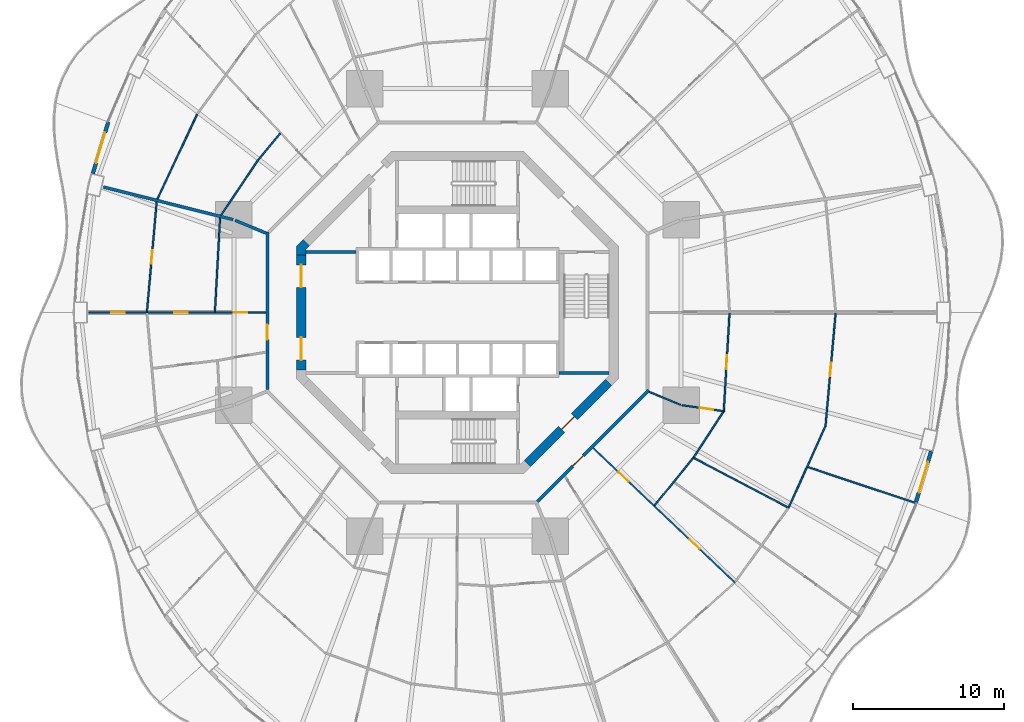
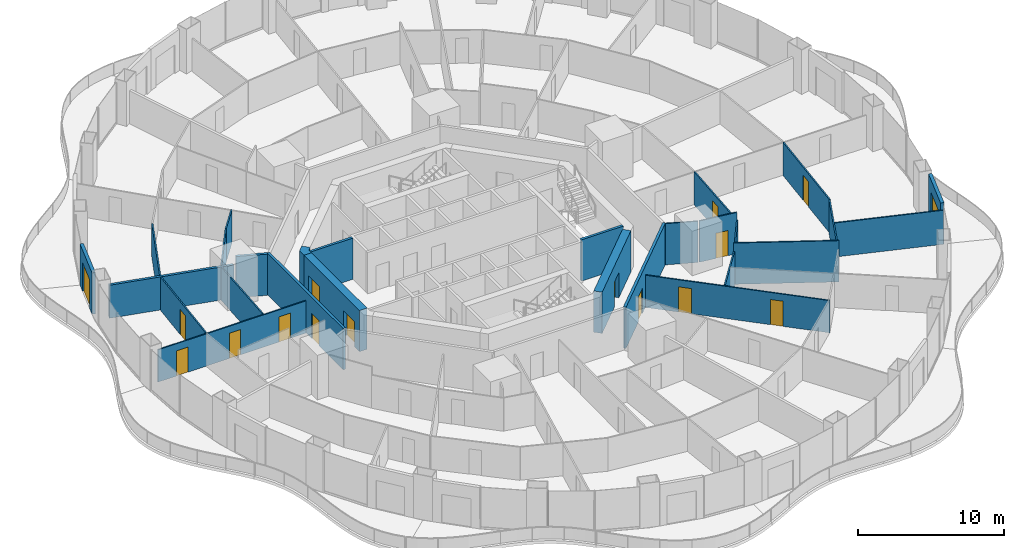
# One storey, part 16 of 22: 27 walls, 16 doors, 16 openings.
"""IFC4 building model written with IfcOpenShell, lengths in metres."""

from ifc_helpers import new_model, si_unit, direction, frame, frame_2d, origin, place, context, subcontext, project, spatial, polyline, rectangle, outline, extrude, material, layer, layer_set, type_object, element, fill, save


model = new_model("IFC4")

# Units and contexts
model_context = context("Model", 3, precision=1e-05, world=origin(), true_north=direction((0.0, 1.0)))
body_context = subcontext(model_context, "Body", "Model", "MODEL_VIEW")
ifc_project = project(units=[si_unit("LENGTHUNIT", "METRE"), si_unit("AREAUNIT", "SQUARE_METRE"), si_unit("VOLUMEUNIT", "CUBIC_METRE"), si_unit("PLANEANGLEUNIT", "RADIAN"), si_unit("MASSUNIT", "GRAM", prefix="KILO")], contexts=[model_context])

# Site, building, storey
site_placement = place(None, origin())
site = spatial("IfcSite", under=ifc_project, at=site_placement, CompositionType="ELEMENT")
building_placement = place(site_placement, origin())
building = spatial("IfcBuilding", under=site, at=building_placement, Name="Nagisa Residences", CompositionType="ELEMENT")
storey_placement = place(building_placement, frame((0.0, 0.0, 49.199951171875)))
storey = spatial("IfcBuildingStorey", under=building, at=storey_placement, Name="L11", CompositionType="ELEMENT", Elevation=49.199951171875)

# Walls
ifc_material_1 = material(Name="Gypsum board on steel studs", Category="steel")
ifc_layer_1 = layer(ifc_material_1, 0.199951171875)
ifc_layer_set_1 = layer_set([ifc_layer_1], Name="Apartment compartment wall EI60 200")
wall_type_1 = type_object("IfcWallType", Name="Apartment compartment wall EI60 200", PredefinedType="PARTITIONING", material=ifc_layer_set_1)
wall_1_placement = place(storey_placement, frame((-12.6572265625, 5.24267578125, 0.0), z_axis=(0.0, 0.0, 1.0), x_axis=(-0.923885664896, 0.382668627144, 0.0)))
element("IfcWall", 1, at=wall_1_placement, inside=storey, type_object=wall_type_1, Name="wall:L11:u04", PredefinedType="PARTITIONING", context=body_context, shape_type="SweptSolid", body=[
    extrude(rectangle(XDim=2.200439453125, YDim=0.199951171875, at=frame_2d((1.10009765625, 0.0))), origin(), (0.0, 0.0, 1.0), 3.43994140625),
])
wall_2_placement = place(storey_placement, frame((-14.83056640625, 6.135009765625, 0.0), z_axis=(0.0, 0.0, 1.0), x_axis=(-0.969884949569, 0.243563512454, 0.0)))
element("IfcWall", 2, at=wall_2_placement, inside=storey, type_object=wall_type_1, Name="wall:L11:u05", PredefinedType="PARTITIONING", context=body_context, shape_type="SweptSolid", body=[
    extrude(rectangle(XDim=8.828857421875, YDim=0.199951171875, at=frame_2d((4.41455078125, 0.0))), origin(), (0.0, 0.0, 1.0), 2.756103515625),
])

# Wall, opening, door
ifc_material_2 = material(Name="Gypsum board on steel studs", Category="steel")
ifc_layer_2 = layer(ifc_material_2, 0.199951171875)
ifc_layer_set_2 = layer_set([ifc_layer_2], Name="Apartment entry wall EI60 200")
wall_type_2 = type_object("IfcWallType", Name="Apartment entry wall EI60 200", PredefinedType="PARTITIONING", material=ifc_layer_set_2)
wall_3_placement = place(storey_placement, frame((-12.564697265625, 5.304443359375, 0.0), z_axis=(0.0, 0.0, 1.0), x_axis=(0.0, -1.0, 0.0)))
wall_3 = element("IfcWall", 3, at=wall_3_placement, inside=storey, type_object=wall_type_2, Name="wall:L11:u14", PredefinedType="PARTITIONING", context=body_context, shape_type="SweptSolid", body=[
    extrude(rectangle(XDim=10.408935546875, YDim=0.199951171875, at=frame_2d((5.20458984375, 0.0))), origin(), (0.0, 0.0, 1.0), 3.43994140625),
])
opening_1_placement = place(wall_3_placement, frame((6.105712890625, 0.0, 0.0)))
opening_1 = element("IfcOpeningElement", 4, at=opening_1_placement, cuts=wall_3, Name="Opening L11-U08", PredefinedType="OPENING", context=body_context, shape_type="SweptSolid", body=[
    extrude(rectangle(XDim=1.0, YDim=2.10009765625, at=frame_2d((0.5, 1.050048828125))), frame((0.0, 0.10986328125, 0.0), z_axis=(0.0, -1.0, 0.0), x_axis=(1.0, 0.0, 0.0)), (0.0, 0.0, 1.0), 0.219970703125),
])
ifc_material_3 = material(Name="Timber fire door set", Category="wood")
door_type_1 = type_object("IfcDoorType", Name="Apartment entry door FD30S 1000x2100", OperationType="NOTDEFINED", PredefinedType="DOOR", material=ifc_material_3)
door_1_placement = place(opening_1_placement, frame((1.0, 0.0, 0.0), x_axis=(-1.0, 0.0, 0.0)))
door_1 = element("IfcDoor", 5, at=door_1_placement, inside=storey, type_object=door_type_1, Name="Entry door, Apartment 11B", OperationType="SINGLE_SWING_LEFT", OverallHeight=2.10009765625, OverallWidth=1.0, PredefinedType="DOOR", context=body_context, shape_type="SweptSolid", body=[
    extrude(rectangle(XDim=1.0, YDim=2.10009765625, at=frame_2d((0.5, 1.050048828125))), frame((0.0, 0.02490234375, 0.0), z_axis=(0.0, -1.0, 0.0), x_axis=(1.0, 0.0, 0.0)), (0.0, 0.0, 1.0), 0.050048828125),
])
fill(opening_1, door_1)

wall_4_placement = place(storey_placement, frame((5.275146484375, -12.494140625, 0.0), z_axis=(0.0, 0.0, 1.0), x_axis=(0.707106781187, 0.707106781187, 0.0)))
wall_4 = element("IfcWall", 6, at=wall_4_placement, inside=storey, type_object=wall_type_2, Name="wall:L11:u17", PredefinedType="PARTITIONING", context=body_context, shape_type="SweptSolid", body=[
    extrude(rectangle(XDim=10.4091796875, YDim=0.199951171875, at=frame_2d((5.20458984375, 0.0))), origin(), (0.0, 0.0, 1.0), 3.43994140625),
])
opening_2_placement = place(wall_4_placement, frame((3.303466796875, 0.0, 0.0)))
opening_2 = element("IfcOpeningElement", 7, at=opening_2_placement, cuts=wall_4, Name="Opening L11-U28", PredefinedType="OPENING", context=body_context, shape_type="SweptSolid", body=[
    extrude(rectangle(XDim=1.0, YDim=2.10009765625, at=frame_2d((0.5, 1.050048828125))), frame((0.0, 0.10986328125, 0.0), z_axis=(0.0, -1.0, 0.0), x_axis=(1.0, 0.0, 0.0)), (0.0, 0.0, 1.0), 0.219970703125),
])
door_2_placement = place(opening_2_placement, frame((1.0, 0.0, 0.0), x_axis=(-1.0, 0.0, 0.0)))
door_2 = element("IfcDoor", 8, at=door_2_placement, inside=storey, type_object=door_type_1, Name="Entry door, Apartment 11D", OperationType="SINGLE_SWING_LEFT", OverallHeight=2.10009765625, OverallWidth=1.0, PredefinedType="DOOR", context=body_context, shape_type="SweptSolid", body=[
    extrude(rectangle(XDim=1.0, YDim=2.10009765625, at=frame_2d((0.5, 1.050048828125))), frame((0.0, 0.02490234375, 0.0), z_axis=(0.0, -1.0, 0.0), x_axis=(1.0, 0.0, 0.0)), (0.0, 0.0, 1.0), 0.050048828125),
])
fill(opening_2, door_2)

ifc_material_4 = material(Name="Gypsum board on steel studs", Category="steel")
ifc_layer_3 = layer(ifc_material_4, 0.10009765625)
ifc_layer_set_3 = layer_set([ifc_layer_3], Name="Apartment partition 100")
wall_type_3 = type_object("IfcWallType", Name="Apartment partition 100", PredefinedType="PARTITIONING", material=ifc_layer_set_3)
wall_5_placement = place(storey_placement, frame((17.971435546875, -0.0498046875, 0.0), z_axis=(0.0, 0.0, 1.0), x_axis=(-0.058476853647, -0.998288764631, 0.0)))
wall_5 = element("IfcWall", 9, at=wall_5_placement, inside=storey, type_object=wall_type_3, Name="wall:L11:u20", PredefinedType="PARTITIONING", context=body_context, shape_type="SweptSolid", body=[
    extrude(rectangle(XDim=6.5380859375, YDim=0.10009765625, at=frame_2d((3.26904296875, 0.0))), origin(), (0.0, 0.0, 1.0), 2.756103515625),
])
opening_3_placement = place(wall_5_placement, frame((2.7939453125, 0.0, 0.0)))
opening_3 = element("IfcOpeningElement", 10, at=opening_3_placement, cuts=wall_5, Name="Opening L11-U35", PredefinedType="OPENING", context=body_context, shape_type="SweptSolid", body=[
    extrude(rectangle(XDim=0.89990234375, YDim=2.10009765625, at=frame_2d((0.449951171875, 1.050048828125))), frame((0.0, 0.06005859375, 0.0), z_axis=(0.0, -1.0, 0.0), x_axis=(1.0, 0.0, 0.0)), (0.0, 0.0, 1.0), 0.1201171875),
])
ifc_material_5 = material(Name="Timber door set", Category="wood")
door_type_2 = type_object("IfcDoorType", Name="Apartment door 900x2100", OperationType="NOTDEFINED", PredefinedType="DOOR", material=ifc_material_5)
door_3_placement = place(opening_3_placement, origin())
door_3 = element("IfcDoor", 11, at=door_3_placement, inside=storey, type_object=door_type_2, Name="Door to dining room, Apartment 11D", OperationType="SINGLE_SWING_LEFT", OverallHeight=2.10009765625, OverallWidth=0.89990234375, PredefinedType="DOOR", context=body_context, shape_type="SweptSolid", body=[
    extrude(rectangle(XDim=0.89990234375, YDim=2.10009765625, at=frame_2d((0.449951171875, 1.050048828125))), frame((0.0, 0.02490234375, 0.0), z_axis=(0.0, -1.0, 0.0), x_axis=(1.0, 0.0, 0.0)), (0.0, 0.0, 1.0), 0.050048828125),
])
fill(opening_3, door_3)

wall_6_placement = place(storey_placement, frame((24.982177734375, -0.0498046875, 0.0), z_axis=(0.0, 0.0, 1.0), x_axis=(-0.089444214321, -0.995991833563, 0.0)))
wall_6 = element("IfcWall", 12, at=wall_6_placement, inside=storey, type_object=wall_type_3, Name="wall:L11:u22", PredefinedType="PARTITIONING", context=body_context, shape_type="SweptSolid", body=[
    extrude(rectangle(XDim=7.522705078125, YDim=0.10009765625, at=frame_2d((3.76123046875, 0.0))), origin(), (0.0, 0.0, 1.0), 2.756103515625),
])
opening_4_placement = place(wall_6_placement, frame((3.286376953125, 0.0, 0.0)))
opening_4 = element("IfcOpeningElement", 13, at=opening_4_placement, cuts=wall_6, Name="Opening L11-U40", PredefinedType="OPENING", context=body_context, shape_type="SweptSolid", body=[
    extrude(rectangle(XDim=0.89990234375, YDim=2.10009765625, at=frame_2d((0.449951171875, 1.050048828125))), frame((0.0, 0.06005859375, 0.0), z_axis=(0.0, -1.0, 0.0), x_axis=(1.0, 0.0, 0.0)), (0.0, 0.0, 1.0), 0.1201171875),
])
door_4_placement = place(opening_4_placement, origin())
door_4 = element("IfcDoor", 14, at=door_4_placement, inside=storey, type_object=door_type_2, Name="Door to living room, Apartment 11D", OperationType="SINGLE_SWING_RIGHT", OverallHeight=2.10009765625, OverallWidth=0.89990234375, PredefinedType="DOOR", context=body_context, shape_type="SweptSolid", body=[
    extrude(rectangle(XDim=0.89990234375, YDim=2.10009765625, at=frame_2d((0.449951171875, 1.050048828125))), frame((0.0, 0.02490234375, 0.0), z_axis=(0.0, -1.0, 0.0), x_axis=(1.0, 0.0, 0.0)), (0.0, 0.0, 1.0), 0.050048828125),
])
fill(opening_4, door_4)

# Walls
wall_7_placement = place(storey_placement, frame((-11.70458984375, 11.824951171875, 0.0), z_axis=(0.0, 0.0, 1.0), x_axis=(-0.640861724905, -0.767656335577, 0.0)))
element("IfcWall", 15, at=wall_7_placement, inside=storey, type_object=wall_type_3, Name="wall:L11:u50", PredefinedType="PARTITIONING", context=body_context, shape_type="SweptSolid", body=[
    extrude(rectangle(XDim=2.268310546875, YDim=0.10009765625, at=frame_2d((1.13427734375, 0.0))), origin(), (0.0, 0.0, 1.0), 2.756103515625),
])
wall_8_placement = place(storey_placement, frame((-13.162353515625, 10.086669921875, 0.0), z_axis=(0.0, 0.0, 1.0), x_axis=(-0.55912750241, -0.829081682375, 0.0)))
element("IfcWall", 16, at=wall_8_placement, inside=storey, type_object=wall_type_3, Name="wall:L11:u51", PredefinedType="PARTITIONING", context=body_context, shape_type="SweptSolid", body=[
    extrude(rectangle(XDim=4.407958984375, YDim=0.10009765625, at=frame_2d((2.2041015625, 0.0))), origin(), (0.0, 0.0, 1.0), 2.756103515625),
])
wall_9_placement = place(storey_placement, frame((-17.20263671875, 13.0947265625, 0.0), z_axis=(0.0, 0.0, 1.0), x_axis=(-0.423926333401, -0.905696673202, 0.0)))
element("IfcWall", 17, at=wall_9_placement, inside=storey, type_object=wall_type_3, Name="wall:L11:u52", PredefinedType="PARTITIONING", context=body_context, shape_type="SweptSolid", body=[
    extrude(rectangle(XDim=6.1875, YDim=0.10009765625, at=frame_2d((3.09375, 0.0))), origin(), (0.0, 0.0, 1.0), 2.756103515625),
])
wall_10_placement = place(storey_placement, frame((-15.688232421875, 6.249267578125, 0.0), z_axis=(0.0, 0.0, 1.0), x_axis=(-0.054659814056, -0.998505034903, 0.0)))
element("IfcWall", 18, at=wall_10_placement, inside=storey, type_object=wall_type_3, Name="wall:L11:u53", PredefinedType="PARTITIONING", context=body_context, shape_type="SweptSolid", body=[
    extrude(rectangle(XDim=6.20849609375, YDim=0.10009765625, at=frame_2d((3.104248046875, 0.0))), origin(), (0.0, 0.0, 1.0), 2.756103515625),
])

# Wall, opening, door
wall_11_placement = place(storey_placement, frame((-19.876708984375, 7.300537109375, 0.0), z_axis=(0.0, 0.0, 1.0), x_axis=(-0.088143415068, -0.996107794558, 0.0)))
wall_11 = element("IfcWall", 19, at=wall_11_placement, inside=storey, type_object=wall_type_3, Name="wall:L11:u54", PredefinedType="PARTITIONING", context=body_context, shape_type="SweptSolid", body=[
    extrude(rectangle(XDim=7.279052734375, YDim=0.10009765625, at=frame_2d((3.6396484375, 0.0))), origin(), (0.0, 0.0, 1.0), 2.756103515625),
])
opening_5_placement = place(wall_11_placement, frame((3.189453125, 0.0, 0.0)))
opening_5 = element("IfcOpeningElement", 20, at=opening_5_placement, cuts=wall_11, Name="Opening L11-U13", PredefinedType="OPENING", context=body_context, shape_type="SweptSolid", body=[
    extrude(rectangle(XDim=0.89990234375, YDim=2.10009765625, at=frame_2d((0.449951171875, 1.050048828125))), frame((0.0, 0.06005859375, 0.0), z_axis=(0.0, -1.0, 0.0), x_axis=(1.0, 0.0, 0.0)), (0.0, 0.0, 1.0), 0.1201171875),
])
door_5_placement = place(opening_5_placement, frame((0.89990234375, 0.0, 0.0), x_axis=(-1.0, 0.0, 0.0)))
door_5 = element("IfcDoor", 21, at=door_5_placement, inside=storey, type_object=door_type_2, Name="Door to family room, Apartment 11B", OperationType="SINGLE_SWING_RIGHT", OverallHeight=2.10009765625, OverallWidth=0.89990234375, PredefinedType="DOOR", context=body_context, shape_type="SweptSolid", body=[
    extrude(rectangle(XDim=0.89990234375, YDim=2.10009765625, at=frame_2d((0.449951171875, 1.050048828125))), frame((0.0, 0.02490234375, 0.0), z_axis=(0.0, -1.0, 0.0), x_axis=(1.0, 0.0, 0.0)), (0.0, 0.0, 1.0), 0.050048828125),
])
fill(opening_5, door_5)

# Wall, openings, doors
wall_12_placement = place(storey_placement, frame((-12.664794921875, 0.0, 0.0), z_axis=(0.0, 0.0, 1.0), x_axis=(-1.0, 0.0, 0.0)))
wall_12 = element("IfcWall", 22, at=wall_12_placement, inside=storey, type_object=wall_type_3, Name="wall:L11:u55", PredefinedType="PARTITIONING", context=body_context, shape_type="SweptSolid", body=[
    extrude(rectangle(XDim=11.685302734375, YDim=0.10009765625, at=frame_2d((5.8427734375, 0.0))), origin(), (0.0, 0.0, 1.0), 2.68701171875),
])
opening_6_placement = place(wall_12_placement, frame((1.23291015625, 0.0, 0.0)))
opening_6 = element("IfcOpeningElement", 23, at=opening_6_placement, cuts=wall_12, Name="Opening L11-U09", PredefinedType="OPENING", context=body_context, shape_type="SweptSolid", body=[
    extrude(rectangle(XDim=0.89990234375, YDim=2.10009765625, at=frame_2d((0.449951171875, 1.050048828125))), frame((0.0, 0.06005859375, 0.0), z_axis=(0.0, -1.0, 0.0), x_axis=(1.0, 0.0, 0.0)), (0.0, 0.0, 1.0), 0.1201171875),
])
opening_7_placement = place(wall_12_placement, frame((5.16162109375, 0.0, 0.0)))
opening_7 = element("IfcOpeningElement", 24, at=opening_7_placement, cuts=wall_12, Name="Opening L11-U11", PredefinedType="OPENING", context=body_context, shape_type="SweptSolid", body=[
    extrude(rectangle(XDim=0.89990234375, YDim=2.10009765625, at=frame_2d((0.449951171875, 1.050048828125))), frame((0.0, 0.06005859375, 0.0), z_axis=(0.0, -1.0, 0.0), x_axis=(1.0, 0.0, 0.0)), (0.0, 0.0, 1.0), 0.1201171875),
])
opening_8_placement = place(wall_12_placement, frame((9.321533203125, 0.0, 0.0)))
opening_8 = element("IfcOpeningElement", 25, at=opening_8_placement, cuts=wall_12, Name="Opening L11-U14", PredefinedType="OPENING", context=body_context, shape_type="SweptSolid", body=[
    extrude(rectangle(XDim=0.89990234375, YDim=2.10009765625, at=frame_2d((0.449951171875, 1.050048828125))), frame((0.0, 0.06005859375, 0.0), z_axis=(0.0, -1.0, 0.0), x_axis=(1.0, 0.0, 0.0)), (0.0, 0.0, 1.0), 0.1201171875),
])
door_6_placement = place(opening_6_placement, frame((0.89990234375, 0.0, 0.0), x_axis=(-1.0, 0.0, 0.0)))
door_6 = element("IfcDoor", 26, at=door_6_placement, inside=storey, type_object=door_type_2, Name="Door to store, Apartment 11B", OperationType="SINGLE_SWING_RIGHT", OverallHeight=2.10009765625, OverallWidth=0.89990234375, PredefinedType="DOOR", context=body_context, shape_type="SweptSolid", body=[
    extrude(rectangle(XDim=0.89990234375, YDim=2.10009765625, at=frame_2d((0.449951171875, 1.050048828125))), frame((0.0, 0.02490234375, 0.0), z_axis=(0.0, -1.0, 0.0), x_axis=(1.0, 0.0, 0.0)), (0.0, 0.0, 1.0), 0.050048828125),
])
fill(opening_6, door_6)
door_7_placement = place(opening_7_placement, frame((0.89990234375, 0.0, 0.0), x_axis=(-1.0, 0.0, 0.0)))
door_7 = element("IfcDoor", 27, at=door_7_placement, inside=storey, type_object=door_type_2, Name="Door to kitchen, Apartment 11B", OperationType="SINGLE_SWING_RIGHT", OverallHeight=2.10009765625, OverallWidth=0.89990234375, PredefinedType="DOOR", context=body_context, shape_type="SweptSolid", body=[
    extrude(rectangle(XDim=0.89990234375, YDim=2.10009765625, at=frame_2d((0.449951171875, 1.050048828125))), frame((0.0, 0.02490234375, 0.0), z_axis=(0.0, -1.0, 0.0), x_axis=(1.0, 0.0, 0.0)), (0.0, 0.0, 1.0), 0.050048828125),
])
fill(opening_7, door_7)
door_8_placement = place(opening_8_placement, origin())
door_8 = element("IfcDoor", 28, at=door_8_placement, inside=storey, type_object=door_type_2, Name="Door to bedroom, Apartment 11B", OperationType="SINGLE_SWING_RIGHT", OverallHeight=2.10009765625, OverallWidth=0.89990234375, PredefinedType="DOOR", context=body_context, shape_type="SweptSolid", body=[
    extrude(rectangle(XDim=0.89990234375, YDim=2.10009765625, at=frame_2d((0.449951171875, 1.050048828125))), frame((0.0, 0.02490234375, 0.0), z_axis=(0.0, -1.0, 0.0), x_axis=(1.0, 0.0, 0.0)), (0.0, 0.0, 1.0), 0.050048828125),
])
fill(opening_8, door_8)

wall_13_placement = place(storey_placement, frame((8.95703125, -8.953369140625, 0.0), z_axis=(0.0, 0.0, 1.0), x_axis=(0.725250022034, -0.688485588476, 0.0)))
wall_13 = element("IfcWall", 29, at=wall_13_placement, inside=storey, type_object=wall_type_3, Name="wall:L11:u83", PredefinedType="PARTITIONING", context=body_context, shape_type="SweptSolid", body=[
    extrude(rectangle(XDim=12.962646484375, YDim=0.10009765625, at=frame_2d((6.4814453125, 0.0))), origin(), (0.0, 0.0, 1.0), 2.68701171875),
])
opening_9_placement = place(wall_13_placement, frame((2.33349609375, 0.0, 0.0)))
opening_9 = element("IfcOpeningElement", 30, at=opening_9_placement, cuts=wall_13, Name="Opening L11-U30", PredefinedType="OPENING", context=body_context, shape_type="SweptSolid", body=[
    extrude(rectangle(XDim=0.89990234375, YDim=2.10009765625, at=frame_2d((0.449951171875, 1.050048828125))), frame((0.0, 0.06005859375, 0.0), z_axis=(0.0, -1.0, 0.0), x_axis=(1.0, 0.0, 0.0)), (0.0, 0.0, 1.0), 0.1201171875),
])
opening_10_placement = place(wall_13_placement, frame((8.78955078125, 0.0, 0.0)))
opening_10 = element("IfcOpeningElement", 31, at=opening_10_placement, cuts=wall_13, Name="Opening L11-U34", PredefinedType="OPENING", context=body_context, shape_type="SweptSolid", body=[
    extrude(rectangle(XDim=0.89990234375, YDim=2.10009765625, at=frame_2d((0.449951171875, 1.050048828125))), frame((0.0, 0.06005859375, 0.0), z_axis=(0.0, -1.0, 0.0), x_axis=(1.0, 0.0, 0.0)), (0.0, 0.0, 1.0), 0.1201171875),
])
door_9_placement = place(opening_9_placement, origin())
door_9 = element("IfcDoor", 32, at=door_9_placement, inside=storey, type_object=door_type_2, Name="Door to store, Apartment 11D", OperationType="SINGLE_SWING_RIGHT", OverallHeight=2.10009765625, OverallWidth=0.89990234375, PredefinedType="DOOR", context=body_context, shape_type="SweptSolid", body=[
    extrude(rectangle(XDim=0.89990234375, YDim=2.10009765625, at=frame_2d((0.449951171875, 1.050048828125))), frame((0.0, 0.02490234375, 0.0), z_axis=(0.0, -1.0, 0.0), x_axis=(1.0, 0.0, 0.0)), (0.0, 0.0, 1.0), 0.050048828125),
])
fill(opening_9, door_9)
door_10_placement = place(opening_10_placement, origin())
door_10 = element("IfcDoor", 33, at=door_10_placement, inside=storey, type_object=door_type_2, Name="Door to family bathroom, Apartment 11D", OperationType="SINGLE_SWING_RIGHT", OverallHeight=2.10009765625, OverallWidth=0.89990234375, PredefinedType="DOOR", context=body_context, shape_type="SweptSolid", body=[
    extrude(rectangle(XDim=0.89990234375, YDim=2.10009765625, at=frame_2d((0.449951171875, 1.050048828125))), frame((0.0, 0.02490234375, 0.0), z_axis=(0.0, -1.0, 0.0), x_axis=(1.0, 0.0, 0.0)), (0.0, 0.0, 1.0), 0.050048828125),
])
fill(opening_10, door_10)

# Walls
wall_14_placement = place(storey_placement, frame((13.02587890625, -12.747314453125, 0.0), z_axis=(0.0, 0.0, 1.0), x_axis=(0.630126826288, 0.776492229705, 0.0)))
element("IfcWall", 34, at=wall_14_placement, inside=storey, type_object=wall_type_3, Name="wall:L11:u84", PredefinedType="PARTITIONING", context=body_context, shape_type="SweptSolid", body=[
    extrude(rectangle(XDim=4.006591796875, YDim=0.10009765625, at=frame_2d((2.00341796875, 0.0))), origin(), (0.0, 0.0, 1.0), 2.756103515625),
])
wall_15_placement = place(storey_placement, frame((15.537841796875, -9.57421875, 0.0), z_axis=(0.0, 0.0, 1.0), x_axis=(0.88517945493, -0.465249752895, 0.0)))
element("IfcWall", 35, at=wall_15_placement, inside=storey, type_object=wall_type_3, Name="wall:L11:u87", PredefinedType="PARTITIONING", context=body_context, shape_type="SweptSolid", body=[
    extrude(rectangle(XDim=7.213134765625, YDim=0.10009765625, at=frame_2d((3.6064453125, 0.0))), origin(), (0.0, 0.0, 1.0), 3.43994140625),
])
wall_16_placement = place(storey_placement, frame((15.609375, -9.5556640625, 0.0), z_axis=(0.0, 0.0, 1.0), x_axis=(0.547641765292, 0.836712911881, 0.0)))
element("IfcWall", 36, at=wall_16_placement, inside=storey, type_object=wall_type_3, Name="wall:L11:u88", PredefinedType="PARTITIONING", context=body_context, shape_type="SweptSolid", body=[
    extrude(rectangle(XDim=3.570068359375, YDim=0.10009765625, at=frame_2d((1.78515625, 0.0))), origin(), (0.0, 0.0, 1.0), 2.756103515625),
])
wall_17_placement = place(storey_placement, frame((21.89892578125, -12.861328125, 0.0), z_axis=(0.0, 0.0, 1.0), x_axis=(0.410197710154, 0.911996622025, 0.0)))
element("IfcWall", 37, at=wall_17_placement, inside=storey, type_object=wall_type_3, Name="wall:L11:u89", PredefinedType="PARTITIONING", context=body_context, shape_type="SweptSolid", body=[
    extrude(rectangle(XDim=5.8369140625, YDim=0.10009765625, at=frame_2d((2.91845703125, 0.0))), origin(), (0.0, 0.0, 1.0), 2.756103515625),
])
wall_18_placement = place(storey_placement, frame((23.1435546875, -10.215576171875, 0.0), z_axis=(0.0, 0.0, 1.0), x_axis=(0.948811715359, -0.315842253027, 0.0)))
element("IfcWall", 38, at=wall_18_placement, inside=storey, type_object=wall_type_3, Name="wall:L11:u90", PredefinedType="PARTITIONING", context=body_context, shape_type="SweptSolid", body=[
    extrude(rectangle(XDim=7.599853515625, YDim=0.10009765625, at=frame_2d((3.7998046875, 0.0))), origin(), (0.0, 0.0, 1.0), 2.837158203125),
])
wall_19_placement = place(storey_placement, frame((12.6572265625, -5.24267578125, 0.0), z_axis=(0.0, 0.0, 1.0), x_axis=(0.923864733477, -0.382719158442, 0.0)))
element("IfcWall", 39, at=wall_19_placement, inside=storey, type_object=wall_type_3, Name="wall:L11:u91", PredefinedType="PARTITIONING", context=body_context, shape_type="SweptSolid", body=[
    extrude(rectangle(XDim=2.25, YDim=0.10009765625, at=frame_2d((1.125, 0.0))), origin(), (0.0, 0.0, 1.0), 3.43994140625),
])

# Wall, opening, door
wall_20_placement = place(storey_placement, frame((14.83154296875, -6.130126953125, 0.0), z_axis=(0.0, 0.0, 1.0), x_axis=(0.989840446863, -0.142182593007, 0.0)))
wall_20 = element("IfcWall", 40, at=wall_20_placement, inside=storey, type_object=wall_type_3, Name="wall:L11:u92", PredefinedType="PARTITIONING", context=body_context, shape_type="SweptSolid", body=[
    extrude(rectangle(XDim=2.73876953125, YDim=0.10009765625, at=frame_2d((1.369384765625, 0.0))), origin(), (0.0, 0.0, 1.0), 3.43994140625),
])
opening_11_placement = place(wall_20_placement, frame((1.197021484375, 0.0, 0.0)))
opening_11 = element("IfcOpeningElement", 41, at=opening_11_placement, cuts=wall_20, Name="Opening L11-U31", PredefinedType="OPENING", context=body_context, shape_type="SweptSolid", body=[
    extrude(rectangle(XDim=0.89990234375, YDim=2.10009765625, at=frame_2d((0.449951171875, 1.050048828125))), frame((0.0, 0.06005859375, 0.0), z_axis=(0.0, -1.0, 0.0), x_axis=(1.0, 0.0, 0.0)), (0.0, 0.0, 1.0), 0.1201171875),
])
door_11_placement = place(opening_11_placement, origin())
door_11 = element("IfcDoor", 42, at=door_11_placement, inside=storey, type_object=door_type_2, Name="Door to laundry, Apartment 11D", OperationType="SINGLE_SWING_LEFT", OverallHeight=2.10009765625, OverallWidth=0.89990234375, PredefinedType="DOOR", context=body_context, shape_type="SweptSolid", body=[
    extrude(rectangle(XDim=0.89990234375, YDim=2.10009765625, at=frame_2d((0.449951171875, 1.050048828125))), frame((0.0, 0.02490234375, 0.0), z_axis=(0.0, -1.0, 0.0), x_axis=(1.0, 0.0, 0.0)), (0.0, 0.0, 1.0), 0.050048828125),
])
fill(opening_11, door_11)

ifc_material_6 = material(Name="Precast concrete C40/50", Category="concrete")
ifc_layer_4 = layer(ifc_material_6, 0.25)
ifc_layer_set_4 = layer_set([ifc_layer_4], Name="BALCONY DOOR WALL 250")
wall_type_4 = type_object("IfcWallType", Name="BALCONY DOOR WALL 250", PredefinedType="SOLIDWALL", material=ifc_layer_set_4)
wall_21_placement = place(storey_placement, frame((-24.092041015625, 9.176025390625, 0.0), z_axis=(0.0, 0.0, 1.0), x_axis=(0.285871309426, 0.958268018065, 0.0)))
wall_21 = element("IfcWall", 43, at=wall_21_placement, inside=storey, type_object=wall_type_4, Name="wall:L11:bay21", PredefinedType="SOLIDWALL", context=body_context, shape_type="SweptSolid", body=[
    extrude(rectangle(XDim=3.5654296875, YDim=0.25, at=frame_2d((1.78271484375, 0.0))), origin(), (0.0, 0.0, 1.0), 3.43994140625),
])
opening_12_placement = place(wall_21_placement, frame((0.732666015625, 0.0, 0.0)))
opening_12 = element("IfcOpeningElement", 44, at=opening_12_placement, cuts=wall_21, Name="Opening BD-L11-08", PredefinedType="OPENING", context=body_context, shape_type="SweptSolid", body=[
    extrude(rectangle(XDim=2.10009765625, YDim=2.39990234375, at=frame_2d((1.050048828125, 1.199951171875))), frame((0.0, 0.135009765625, 0.0), z_axis=(0.0, -1.0, 0.0), x_axis=(1.0, 0.0, 0.0)), (0.0, 0.0, 1.0), 0.27001953125),
])
ifc_material_7 = material(Name="Aluminium and clear glass", Category="aluminium")
door_type_3 = type_object("IfcDoorType", Name="BALCONY SLIDING DOOR 2100x2400", OperationType="SLIDING_TO_LEFT", PredefinedType="DOOR", material=ifc_material_7)
door_12_placement = place(opening_12_placement, origin())
door_12 = element("IfcDoor", 45, at=door_12_placement, inside=storey, type_object=door_type_3, Name="door:L11:bay21", OperationType="SLIDING_TO_LEFT", OverallHeight=2.39990234375, OverallWidth=2.10009765625, PredefinedType="DOOR", context=body_context, shape_type="SweptSolid", body=[
    extrude(rectangle(XDim=2.10009765625, YDim=2.39990234375, at=frame_2d((1.050048828125, 1.199951171875))), frame((0.0, 0.02490234375, 0.0), z_axis=(0.0, -1.0, 0.0), x_axis=(1.0, 0.0, 0.0)), (0.0, 0.0, 1.0), 0.050048828125),
])
fill(opening_12, door_12)

wall_22_placement = place(storey_placement, frame((31.2919921875, -9.176025390625, 0.0), z_axis=(0.0, 0.0, 1.0), x_axis=(-0.285871309426, -0.958268018065, 0.0)))
wall_22 = element("IfcWall", 46, at=wall_22_placement, inside=storey, type_object=wall_type_4, Name="wall:L11:bay45", PredefinedType="SOLIDWALL", context=body_context, shape_type="SweptSolid", body=[
    extrude(rectangle(XDim=3.5654296875, YDim=0.25, at=frame_2d((1.78271484375, 0.0))), origin(), (0.0, 0.0, 1.0), 3.43994140625),
])
opening_13_placement = place(wall_22_placement, frame((0.732666015625, 0.0, 0.0)))
opening_13 = element("IfcOpeningElement", 47, at=opening_13_placement, cuts=wall_22, Name="Opening BD-L11-16", PredefinedType="OPENING", context=body_context, shape_type="SweptSolid", body=[
    extrude(rectangle(XDim=2.10009765625, YDim=2.39990234375, at=frame_2d((1.050048828125, 1.199951171875))), frame((0.0, 0.135009765625, 0.0), z_axis=(0.0, -1.0, 0.0), x_axis=(1.0, 0.0, 0.0)), (0.0, 0.0, 1.0), 0.27001953125),
])
door_13_placement = place(opening_13_placement, origin())
door_13 = element("IfcDoor", 48, at=door_13_placement, inside=storey, type_object=door_type_3, Name="door:L11:bay45", OperationType="SLIDING_TO_LEFT", OverallHeight=2.39990234375, OverallWidth=2.10009765625, PredefinedType="DOOR", context=body_context, shape_type="SweptSolid", body=[
    extrude(rectangle(XDim=2.10009765625, YDim=2.39990234375, at=frame_2d((1.050048828125, 1.199951171875))), frame((0.0, 0.02490234375, 0.0), z_axis=(0.0, -1.0, 0.0), x_axis=(1.0, 0.0, 0.0)), (0.0, 0.0, 1.0), 0.050048828125),
])
fill(opening_13, door_13)

# Wall
ifc_material_8 = material(Name="Gypsum board on steel studs", Category="steel")
ifc_layer_5 = layer(ifc_material_8, 0.199951171875)
ifc_layer_set_5 = layer_set([ifc_layer_5], Name="Core partition 200")
wall_type_5 = type_object("IfcWallType", Name="Core partition 200", PredefinedType="PARTITIONING", material=ifc_layer_set_5)
wall_23_placement = place(storey_placement, frame((-10.024658203125, 4.0, 0.0), z_axis=(0.0, 0.0, 1.0), x_axis=(1.0, 0.0, 0.0)))
element("IfcWall", 49, at=wall_23_placement, inside=storey, type_object=wall_type_5, Name="wall:L11:PNW", PredefinedType="PARTITIONING", context=body_context, shape_type="SweptSolid", body=[
    extrude(rectangle(XDim=3.32470703125, YDim=0.199951171875, at=frame_2d((1.662353515625, 0.0))), origin(), (0.0, 0.0, 1.0), 3.43994140625),
])

# Wall, openings, doors
ifc_material_9 = material(Name="Concrete C60", Category="concrete")
ifc_layer_6 = layer(ifc_material_9, 0.60009765625)
ifc_layer_set_6 = layer_set([ifc_layer_6], Name="Core shear wall 600")
wall_type_6 = type_object("IfcWallType", Name="Core shear wall 600", PredefinedType="SHEAR", material=ifc_layer_set_6)
wall_24_placement = place(storey_placement, frame((-10.32470703125, 3.80078125, 0.0), z_axis=(0.0, 0.0, 1.0), x_axis=(0.0, -1.0, 0.0)))
wall_24 = element("IfcWall", 50, at=wall_24_placement, inside=storey, type_object=wall_type_6, Name="wall:L11:core:flat4", PredefinedType="SHEAR", context=body_context, shape_type="SweptSolid", body=[
    extrude(rectangle(XDim=7.6015625, YDim=0.60009765625, at=frame_2d((3.80078125, 0.0))), origin(), (0.0, 0.0, 1.0), 3.43994140625),
])
opening_14_placement = place(wall_24_placement, frame((0.65087890625, 0.0, 0.0)))
opening_14 = element("IfcOpeningElement", 51, at=opening_14_placement, cuts=wall_24, Name="Opening L11-C17", PredefinedType="OPENING", context=body_context, shape_type="SweptSolid", body=[
    extrude(rectangle(XDim=1.5, YDim=2.10009765625, at=frame_2d((0.75, 1.050048828125))), frame((0.0, 0.31005859375, 0.0), z_axis=(0.0, -1.0, 0.0), x_axis=(1.0, 0.0, 0.0)), (0.0, 0.0, 1.0), 0.6201171875),
])
opening_15_placement = place(wall_24_placement, frame((5.450927734375, 0.0, 0.0)))
opening_15 = element("IfcOpeningElement", 52, at=opening_15_placement, cuts=wall_24, Name="Opening L11-C18", PredefinedType="OPENING", context=body_context, shape_type="SweptSolid", body=[
    extrude(rectangle(XDim=1.5, YDim=2.10009765625, at=frame_2d((0.75, 1.050048828125))), frame((0.0, 0.31005859375, 0.0), z_axis=(0.0, -1.0, 0.0), x_axis=(1.0, 0.0, 0.0)), (0.0, 0.0, 1.0), 0.6201171875),
])
ifc_material_10 = material(Name="Steel fire door", Category="steel")
door_type_4 = type_object("IfcDoorType", Name="Fire door EI60 1500x2100 double door single swing", OperationType="DOUBLE_DOOR_SINGLE_SWING", PredefinedType="DOOR", material=ifc_material_10)
door_14_placement = place(opening_14_placement, origin())
door_14 = element("IfcDoor", 53, at=door_14_placement, inside=storey, type_object=door_type_4, Name="Lift lobby door L11 1", OperationType="DOUBLE_DOOR_SINGLE_SWING", OverallHeight=2.10009765625, OverallWidth=1.5, PredefinedType="DOOR", context=body_context, shape_type="SweptSolid", body=[
    extrude(rectangle(XDim=1.5, YDim=2.10009765625, at=frame_2d((0.75, 1.050048828125))), frame((0.0, 0.02490234375, 0.0), z_axis=(0.0, -1.0, 0.0), x_axis=(1.0, 0.0, 0.0)), (0.0, 0.0, 1.0), 0.050048828125),
])
fill(opening_14, door_14)
door_15_placement = place(opening_15_placement, origin())
door_15 = element("IfcDoor", 54, at=door_15_placement, inside=storey, type_object=door_type_4, Name="Lift lobby door L11 2", OperationType="DOUBLE_DOOR_SINGLE_SWING", OverallHeight=2.10009765625, OverallWidth=1.5, PredefinedType="DOOR", context=body_context, shape_type="SweptSolid", body=[
    extrude(rectangle(XDim=1.5, YDim=2.10009765625, at=frame_2d((0.75, 1.050048828125))), frame((0.0, 0.02490234375, 0.0), z_axis=(0.0, -1.0, 0.0), x_axis=(1.0, 0.0, 0.0)), (0.0, 0.0, 1.0), 0.050048828125),
])
fill(opening_15, door_15)

# Wall, opening, door
wall_25_placement = place(storey_placement, frame((4.613037109375, -9.98828125, 0.0), z_axis=(0.0, 0.0, 1.0), x_axis=(0.707106781187, 0.707106781187, 0.0)))
wall_25 = element("IfcWall", 55, at=wall_25_placement, inside=storey, type_object=wall_type_6, Name="wall:L11:core:flat7", PredefinedType="SHEAR", context=body_context, shape_type="SweptSolid", body=[
    extrude(rectangle(XDim=7.601806640625, YDim=0.60009765625, at=frame_2d((3.80078125, 0.0))), origin(), (0.0, 0.0, 1.0), 3.43994140625),
])
opening_16_placement = place(wall_25_placement, frame((3.200927734375, 0.0, 0.0)))
opening_16 = element("IfcOpeningElement", 56, at=opening_16_placement, cuts=wall_25, Name="Opening L11-C16", PredefinedType="OPENING", context=body_context, shape_type="SweptSolid", body=[
    extrude(rectangle(XDim=1.199951171875, YDim=2.10009765625, at=frame_2d((0.60009765625, 1.050048828125))), frame((0.0, 0.31005859375, 0.0), z_axis=(0.0, -1.0, 0.0), x_axis=(1.0, 0.0, 0.0)), (0.0, 0.0, 1.0), 0.6201171875),
])
ifc_material_11 = material(Name="Steel fire door", Category="steel")
door_type_5 = type_object("IfcDoorType", Name="Fire door EI60 1200x2100 single swing", OperationType="NOTDEFINED", PredefinedType="DOOR", material=ifc_material_11)
door_16_placement = place(opening_16_placement, origin())
door_16 = element("IfcDoor", 57, at=door_16_placement, inside=storey, type_object=door_type_5, Name="Firefighting lobby 2 door L11", OperationType="SINGLE_SWING_RIGHT", OverallHeight=2.10009765625, OverallWidth=1.199951171875, PredefinedType="DOOR", context=body_context, shape_type="SweptSolid", body=[
    extrude(rectangle(XDim=1.199951171875, YDim=2.10009765625, at=frame_2d((0.60009765625, 1.050048828125))), frame((0.0, 0.02490234375, 0.0), z_axis=(0.0, -1.0, 0.0), x_axis=(1.0, 0.0, 0.0)), (0.0, 0.0, 1.0), 0.050048828125),
])
fill(opening_16, door_16)

# Walls
wall_26_placement = place(storey_placement, origin())
element("IfcWall", 58, at=wall_26_placement, inside=storey, type_object=wall_type_6, Name="wall:L11:core:pier3", PredefinedType="SHEAR", context=body_context, shape_type="SweptSolid", body=[
    extrude(outline(polyline([(-10.200439453125, 4.8251953125), (-9.776123046875, 4.40087890625), (-10.024658203125, 4.15234375), (-10.024658203125, 3.80078125), (-10.62451171875, 3.80078125), (-10.62451171875, 4.40087890625), (-10.200439453125, 4.8251953125)])), origin(), (0.0, 0.0, 1.0), 3.43994140625),
])
ifc_material_12 = material(Name="Concrete C60", Category="concrete")
ifc_layer_7 = layer(ifc_material_12, 0.199951171875)
ifc_layer_set_7 = layer_set([ifc_layer_7], Name="Stair enclosure wall 200")
wall_type_7 = type_object("IfcWallType", Name="Stair enclosure wall 200", PredefinedType="SOLIDWALL", material=ifc_layer_set_7)
wall_27_placement = place(storey_placement, origin())
element("IfcWall", 59, at=wall_27_placement, inside=storey, type_object=wall_type_7, Name="wall:L11:SE_s", PredefinedType="SOLIDWALL", context=body_context, shape_type="SweptSolid", body=[
    extrude(outline(polyline([(10.024658203125, -4.10009765625), (6.699951171875, -4.10009765625), (6.699951171875, -3.89990234375), (10.024658203125, -3.89990234375), (10.024658203125, -4.10009765625)])), origin(), (0.0, 0.0, 1.0), 3.43994140625),
])

save(model, "model.ifc")
